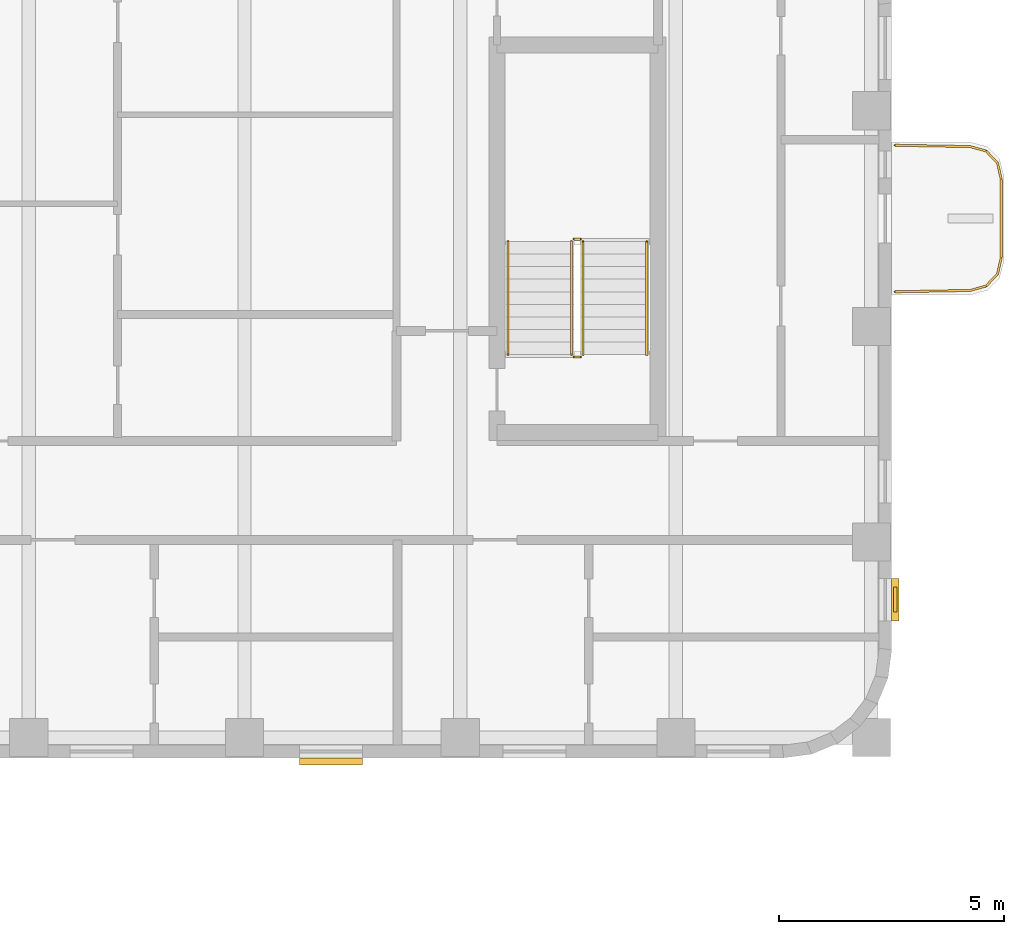
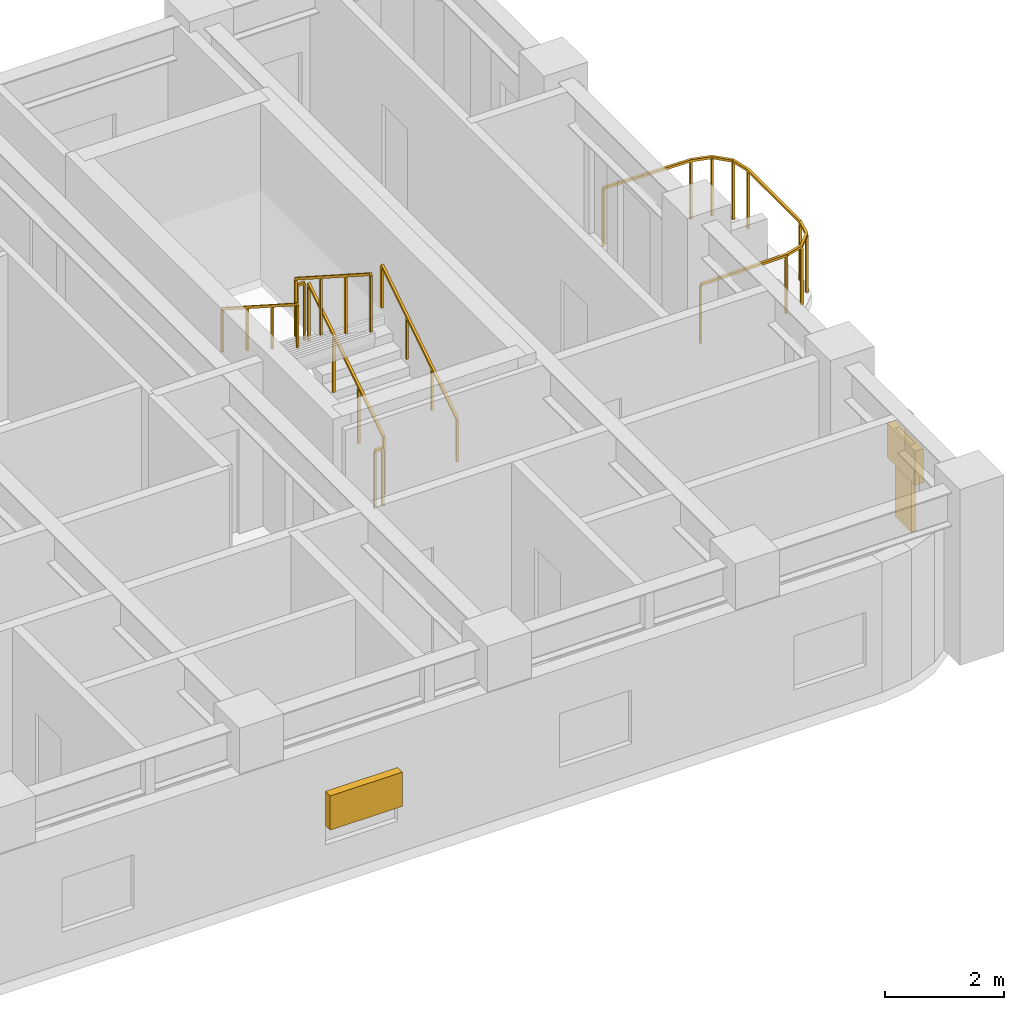
# One storey, part 9 of 10: 7 railings, 3 shading devices.
"""IFC4 building model written with IfcOpenShell, lengths in metres."""

from ifc_helpers import new_model, si_unit, direction, frame, origin, origin_2d, place, context, subcontext, project, spatial, rectangle, extrude, material, type_object, element, save


model = new_model("IFC4")

# Units and contexts
model_context = context("Model", 3, precision=1e-05, world=origin(), true_north=direction((0.0, 1.0)))
body_context = subcontext(model_context, "Body", "Model", "MODEL_VIEW")
ifc_project = project(units=[si_unit("LENGTHUNIT", "METRE"), si_unit("AREAUNIT", "SQUARE_METRE"), si_unit("VOLUMEUNIT", "CUBIC_METRE"), si_unit("PLANEANGLEUNIT", "RADIAN"), si_unit("MASSUNIT", "GRAM", prefix="KILO")], contexts=[model_context])

# Site, building, storey
site_placement = place(None, origin())
site = spatial("IfcSite", under=ifc_project, at=site_placement, CompositionType="ELEMENT")
building_placement = place(site_placement, origin())
building = spatial("IfcBuilding", under=site, at=building_placement, Name="Orvandelia Arch Residences", CompositionType="ELEMENT")
storey_placement = place(building_placement, frame((0.0, 0.0, 211.0)))
storey = spatial("IfcBuildingStorey", under=building, at=storey_placement, Name="L55", CompositionType="ELEMENT", Elevation=211.0)

# Railings
ifc_material_1 = material(Name="Marine-Grade Stainless Steel 316", Category="steel")
railing_type_1 = type_object("IfcRailingType", Name="GRD-BAL-1200", PredefinedType="BALUSTRADE", material=ifc_material_1)
railing_1_placement = place(storey_placement, frame((52.871826171875, 39.169677734375, 0.0)))
element("IfcRailing", 1, at=railing_1_placement, inside=storey, type_object=railing_type_1, Name="Safety Balustrade Guard GRD-L55-BAL-L55-E1-1", PredefinedType="BALUSTRADE", context=body_context, shape_type="SweptSolid", body=[
    extrude(rectangle(XDim=0.048095703125, YDim=0.048095703125, at=origin_2d()), frame((0.0, 0.0, 1.19580078125), z_axis=(0.999837384468, 0.018033430643, 0.0), x_axis=(-0.018033430643, 0.999837384468, 0.0)), (0.0, 0.0, 1.0), 1.6787109375),
    extrude(rectangle(XDim=0.048095703125, YDim=0.048095703125, at=origin_2d()), frame((1.678466796875, 0.0302734375, 1.19580078125), z_axis=(0.96348920644, 0.267747173792, 0.0), x_axis=(-0.267747173792, 0.96348920644, 0.0)), (0.0, 0.0, 1.0), 0.36572265625),
    extrude(rectangle(XDim=0.048095703125, YDim=0.048095703125, at=origin_2d()), frame((2.03076171875, 0.128173828125, 1.19580078125), z_axis=(0.687947031175, 0.725760898848, 0.0), x_axis=(-0.725760898848, 0.687947031175, 0.0)), (0.0, 0.0, 1.0), 0.367919921875),
    extrude(rectangle(XDim=0.048095703125, YDim=0.048095703125, at=origin_2d()), frame((2.283935546875, 0.395263671875, 1.19580078125), z_axis=(0.221225034864, 0.975222786828, 0.0), x_axis=(-0.975222786828, 0.221225034864, 0.0)), (0.0, 0.0, 1.0), 0.373046875),
    extrude(rectangle(XDim=0.048095703125, YDim=0.048095703125, at=origin_2d()), frame((2.366455078125, 0.759033203125, 1.19580078125), z_axis=(0.0, 1.0, 0.0), x_axis=(-1.0, 0.0, 0.0)), (0.0, 0.0, 1.0), 1.74267578125),
    extrude(rectangle(XDim=0.048095703125, YDim=0.048095703125, at=origin_2d()), frame((2.366455078125, 2.501708984375, 1.19580078125), z_axis=(-0.221225034864, 0.975222786828, 0.0), x_axis=(-0.975222786828, -0.221225034864, 0.0)), (0.0, 0.0, 1.0), 0.373046875),
    extrude(rectangle(XDim=0.048095703125, YDim=0.048095703125, at=origin_2d()), frame((2.283935546875, 2.865478515625, 1.19580078125), z_axis=(-0.688278345278, 0.725446703364, 0.0), x_axis=(-0.725446703364, -0.688278345278, 0.0)), (0.0, 0.0, 1.0), 0.367919921875),
    extrude(rectangle(XDim=0.048095703125, YDim=0.048095703125, at=origin_2d()), frame((2.03076171875, 3.13232421875, 1.19580078125), z_axis=(-0.96348920644, 0.267747173792, 0.0), x_axis=(-0.267747173792, -0.96348920644, 0.0)), (0.0, 0.0, 1.0), 0.36572265625),
    extrude(rectangle(XDim=0.048095703125, YDim=0.048095703125, at=origin_2d()), frame((1.678466796875, 3.230224609375, 1.19580078125), z_axis=(-0.999834751713, 0.018178813668, 0.0), x_axis=(-0.018178813668, -0.999834751713, 0.0)), (0.0, 0.0, 1.0), 1.6787109375),
    extrude(rectangle(XDim=0.0419921875, YDim=0.0419921875, at=origin_2d()), origin(), (0.0, 0.0, 1.0), 1.171875),
    extrude(rectangle(XDim=0.0419921875, YDim=0.0419921875, at=origin_2d()), frame((1.678466796875, 0.0302734375, 0.0)), (0.0, 0.0, 1.0), 1.171875),
    extrude(rectangle(XDim=0.0419921875, YDim=0.0419921875, at=origin_2d()), frame((2.03076171875, 0.128173828125, 0.0)), (0.0, 0.0, 1.0), 1.171875),
    extrude(rectangle(XDim=0.0419921875, YDim=0.0419921875, at=origin_2d()), frame((2.283935546875, 0.395263671875, 0.0)), (0.0, 0.0, 1.0), 1.171875),
    extrude(rectangle(XDim=0.0419921875, YDim=0.0419921875, at=origin_2d()), frame((2.366455078125, 0.759033203125, 0.0)), (0.0, 0.0, 1.0), 1.171875),
    extrude(rectangle(XDim=0.0419921875, YDim=0.0419921875, at=origin_2d()), frame((2.366455078125, 2.501708984375, 0.0)), (0.0, 0.0, 1.0), 1.171875),
    extrude(rectangle(XDim=0.0419921875, YDim=0.0419921875, at=origin_2d()), frame((2.283935546875, 2.865478515625, 0.0)), (0.0, 0.0, 1.0), 1.171875),
    extrude(rectangle(XDim=0.0419921875, YDim=0.0419921875, at=origin_2d()), frame((2.03076171875, 3.13232421875, 0.0)), (0.0, 0.0, 1.0), 1.171875),
    extrude(rectangle(XDim=0.0419921875, YDim=0.0419921875, at=origin_2d()), frame((1.678466796875, 3.230224609375, 0.0)), (0.0, 0.0, 1.0), 1.171875),
    extrude(rectangle(XDim=0.0419921875, YDim=0.0419921875, at=origin_2d()), frame((0.0, 3.2607421875, 0.0)), (0.0, 0.0, 1.0), 1.171875),
])
ifc_material_2 = material(Name="Brushed Stainless Steel 304", Category="steel")
railing_type_2 = type_object("IfcRailingType", Name="RL-STAIR-GD1120", PredefinedType="GUARDRAIL", material=ifc_material_2)
railing_2_placement = place(storey_placement, frame((45.929931640625, 37.77001953125, 0.179931640625)))
element("IfcRailing", 2, at=railing_2_placement, inside=storey, type_object=railing_type_2, Name="L55 ST-3 stair guard 1", PredefinedType="GUARDRAIL", context=body_context, shape_type="SweptSolid", body=[
    extrude(rectangle(XDim=0.048095703125, YDim=0.048095703125, at=origin_2d()), frame((0.0, 0.0, 1.17578125), z_axis=(0.0, 0.841162588446, 0.540782303519), x_axis=(-1.0, 0.0, 0.0)), (0.0, 0.0, 1.0), 2.995849609375),
    extrude(rectangle(XDim=0.0419921875, YDim=0.0419921875, at=origin_2d()), origin(), (0.0, 0.0, 1.0), 1.15185546875),
    extrude(rectangle(XDim=0.0419921875, YDim=0.0419921875, at=origin_2d()), frame((0.0, 0.840087890625, 0.5400390625)), (0.0, 0.0, 1.0), 1.15185546875),
    extrude(rectangle(XDim=0.0419921875, YDim=0.0419921875, at=origin_2d()), frame((0.0, 1.679931640625, 1.080078125)), (0.0, 0.0, 1.0), 1.15185546875),
    extrude(rectangle(XDim=0.0419921875, YDim=0.0419921875, at=origin_2d()), frame((0.0, 2.52001953125, 1.6201171875)), (0.0, 0.0, 1.0), 1.15185546875),
])
railing_3_placement = place(storey_placement, frame((45.8798828125, 40.340087890625, 1.800048828125)))
element("IfcRailing", 3, at=railing_3_placement, inside=storey, type_object=railing_type_2, Name="L55 ST-3 stair guard 2", PredefinedType="GUARDRAIL", context=body_context, shape_type="SweptSolid", body=[
    extrude(rectangle(XDim=0.048095703125, YDim=0.048095703125, at=origin_2d()), frame((0.0, 0.0, 1.17578125), z_axis=(-1.0, 0.0, 0.0), x_axis=(0.0, -1.0, 0.0)), (0.0, 0.0, 1.0), 0.14990234375),
    extrude(rectangle(XDim=0.0419921875, YDim=0.0419921875, at=origin_2d()), origin(), (0.0, 0.0, 1.0), 1.15185546875),
    extrude(rectangle(XDim=0.0419921875, YDim=0.0419921875, at=origin_2d()), frame((-0.14990234375, 0.0, 0.0)), (0.0, 0.0, 1.0), 1.15185546875),
])
railing_4_placement = place(storey_placement, frame((45.679931640625, 40.2900390625, 1.97998046875)))
element("IfcRailing", 4, at=railing_4_placement, inside=storey, type_object=railing_type_2, Name="L55 ST-3 stair guard 3", PredefinedType="GUARDRAIL", context=body_context, shape_type="SweptSolid", body=[
    extrude(rectangle(XDim=0.048095703125, YDim=0.048095703125, at=origin_2d()), frame((0.0, 0.0, 1.17578125), z_axis=(0.0, -0.841162588446, 0.540782303519), x_axis=(1.0, 0.0, 0.0)), (0.0, 0.0, 1.0), 2.995849609375),
    extrude(rectangle(XDim=0.0419921875, YDim=0.0419921875, at=origin_2d()), origin(), (0.0, 0.0, 1.0), 1.15185546875),
    extrude(rectangle(XDim=0.0419921875, YDim=0.0419921875, at=origin_2d()), frame((0.0, -0.840087890625, 0.5400390625)), (0.0, 0.0, 1.0), 1.15185546875),
    extrude(rectangle(XDim=0.0419921875, YDim=0.0419921875, at=origin_2d()), frame((0.0, -1.679931640625, 1.080078125)), (0.0, 0.0, 1.0), 1.15185546875),
    extrude(rectangle(XDim=0.0419921875, YDim=0.0419921875, at=origin_2d()), frame((0.0, -2.52001953125, 1.6201171875)), (0.0, 0.0, 1.0), 1.15185546875),
])
railing_5_placement = place(storey_placement, frame((45.8798828125, 37.719970703125, 0.0)))
element("IfcRailing", 5, at=railing_5_placement, inside=storey, type_object=railing_type_2, Name="L55 ST-3 stair guard 4", PredefinedType="GUARDRAIL", context=body_context, shape_type="SweptSolid", body=[
    extrude(rectangle(XDim=0.048095703125, YDim=0.048095703125, at=origin_2d()), frame((0.0, 0.0, 1.17578125), z_axis=(-1.0, 0.0, 0.0), x_axis=(0.0, -1.0, 0.0)), (0.0, 0.0, 1.0), 0.14990234375),
    extrude(rectangle(XDim=0.0419921875, YDim=0.0419921875, at=origin_2d()), origin(), (0.0, 0.0, 1.0), 1.15185546875),
    extrude(rectangle(XDim=0.0419921875, YDim=0.0419921875, at=origin_2d()), frame((-0.14990234375, 0.0, 0.0)), (0.0, 0.0, 1.0), 1.15185546875),
])
railing_type_3 = type_object("IfcRailingType", Name="RL-STAIR-HR920", PredefinedType="HANDRAIL", material=ifc_material_2)
railing_6_placement = place(storey_placement, frame((47.35009765625, 37.77001953125, 0.360107421875)))
element("IfcRailing", 6, at=railing_6_placement, inside=storey, type_object=railing_type_3, Name="L55 ST-3 stair handrail 1", PredefinedType="HANDRAIL", context=body_context, shape_type="SweptSolid", body=[
    extrude(rectangle(XDim=0.048095703125, YDim=0.048095703125, at=origin_2d()), frame((0.0, 0.0, 0.8759765625), z_axis=(0.0, 0.841199657755, 0.540724639528), x_axis=(-1.0, 0.0, 0.0)), (0.0, 0.0, 1.0), 2.995849609375),
    extrude(rectangle(XDim=0.0419921875, YDim=0.0419921875, at=origin_2d()), origin(), (0.0, 0.0, 1.0), 0.851806640625),
    extrude(rectangle(XDim=0.0419921875, YDim=0.0419921875, at=origin_2d()), frame((0.0, 0.840087890625, 0.5400390625)), (0.0, 0.0, 1.0), 0.851806640625),
    extrude(rectangle(XDim=0.0419921875, YDim=0.0419921875, at=origin_2d()), frame((0.0, 1.679931640625, 1.079833984375)), (0.0, 0.0, 1.0), 0.851806640625),
    extrude(rectangle(XDim=0.0419921875, YDim=0.0419921875, at=origin_2d()), frame((0.0, 2.52001953125, 1.619873046875)), (0.0, 0.0, 1.0), 0.851806640625),
])
railing_7_placement = place(storey_placement, frame((44.260009765625, 40.2900390625, 2.159912109375)))
element("IfcRailing", 7, at=railing_7_placement, inside=storey, type_object=railing_type_3, Name="L55 ST-3 stair handrail 2", PredefinedType="HANDRAIL", context=body_context, shape_type="SweptSolid", body=[
    extrude(rectangle(XDim=0.048095703125, YDim=0.048095703125, at=origin_2d()), frame((0.0, 0.0, 0.8759765625), z_axis=(0.0, -0.841162588446, 0.540782303519), x_axis=(1.0, 0.0, 0.0)), (0.0, 0.0, 1.0), 2.995849609375),
    extrude(rectangle(XDim=0.0419921875, YDim=0.0419921875, at=origin_2d()), origin(), (0.0, 0.0, 1.0), 0.851806640625),
    extrude(rectangle(XDim=0.0419921875, YDim=0.0419921875, at=origin_2d()), frame((0.0, -0.840087890625, 0.5400390625)), (0.0, 0.0, 1.0), 0.851806640625),
    extrude(rectangle(XDim=0.0419921875, YDim=0.0419921875, at=origin_2d()), frame((0.0, -1.679931640625, 1.080078125)), (0.0, 0.0, 1.0), 0.851806640625),
    extrude(rectangle(XDim=0.0419921875, YDim=0.0419921875, at=origin_2d()), frame((0.0, -2.52001953125, 1.6201171875)), (0.0, 0.0, 1.0), 0.851806640625),
])

# Shading devices
ifc_material_3 = material(Name="Anodised Champagne-Bronze Extruded Aluminium", Category="aluminium")
shading_device_type_1 = type_object("IfcShadingDeviceType", Name="SHD-JALOUSIE-SCREEN", PredefinedType="JALOUSIE", material=ifc_material_3)
shading_device_1_placement = place(storey_placement, frame((52.8798828125, 32.320068359375, 1.5498046875), z_axis=(0.0, 0.0, 1.0), x_axis=(0.0, -1.0, 0.0)))
element("IfcShadingDevice", 8, at=shading_device_1_placement, inside=storey, type_object=shading_device_type_1, Name="Bronze Jalousie Sun-Shade L55-003", PredefinedType="JALOUSIE", context=body_context, shape_type="SweptSolid", body=[
    extrude(rectangle(XDim=0.949951171875, YDim=0.159912109375, at=origin_2d()), origin(), (0.0, 0.0, 1.0), 0.699951171875),
])
shading_device_2_placement = place(storey_placement, frame((40.322509765625, 28.719970703125, 1.0498046875), z_axis=(0.0, 0.0, 1.0), x_axis=(-1.0, 0.0, 0.0)))
element("IfcShadingDevice", 9, at=shading_device_2_placement, inside=storey, type_object=shading_device_type_1, Name="Bronze Jalousie Sun-Shade L55-005", PredefinedType="JALOUSIE", context=body_context, shape_type="SweptSolid", body=[
    extrude(rectangle(XDim=1.39990234375, YDim=0.159912109375, at=origin_2d()), origin(), (0.0, 0.0, 1.0), 0.699951171875),
])
ifc_material_4 = material(Name="Marine-Grade Perforated Aluminium Storm Shutter", Category="aluminium")
shading_device_type_2 = type_object("IfcShadingDeviceType", Name="SHD-STORM-SHUTTER", PredefinedType="SHUTTER", material=ifc_material_4)
shading_device_3_placement = place(storey_placement, frame((52.8798828125, 32.320068359375, 0.4501953125), z_axis=(0.0, 0.0, 1.0), x_axis=(0.0, -1.0, 0.0)))
element("IfcShadingDevice", 10, at=shading_device_3_placement, inside=storey, type_object=shading_device_type_2, Name="Operable Typhoon Storm Shutter L55-003", PredefinedType="SHUTTER", context=body_context, shape_type="SweptSolid", body=[
    extrude(rectangle(XDim=0.550048828125, YDim=0.080078125, at=origin_2d()), origin(), (0.0, 0.0, 1.0), 1.800048828125),
])

save(model, "model.ifc")
